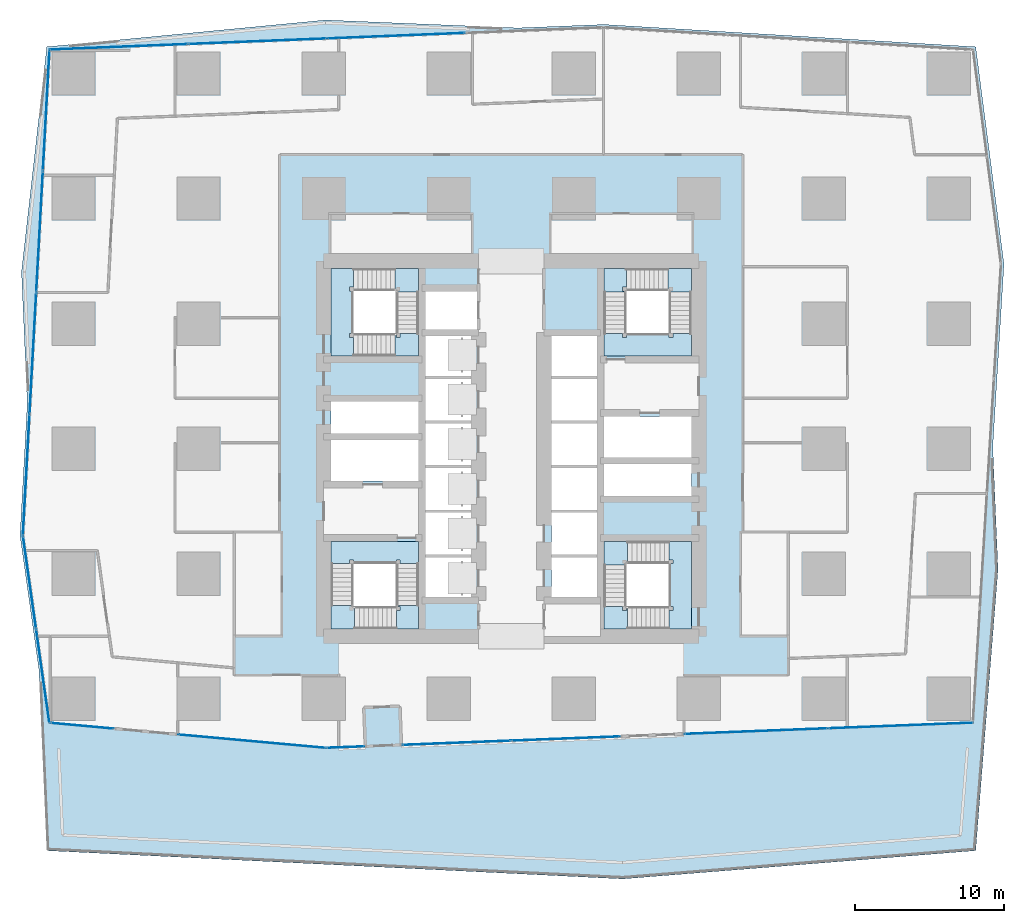
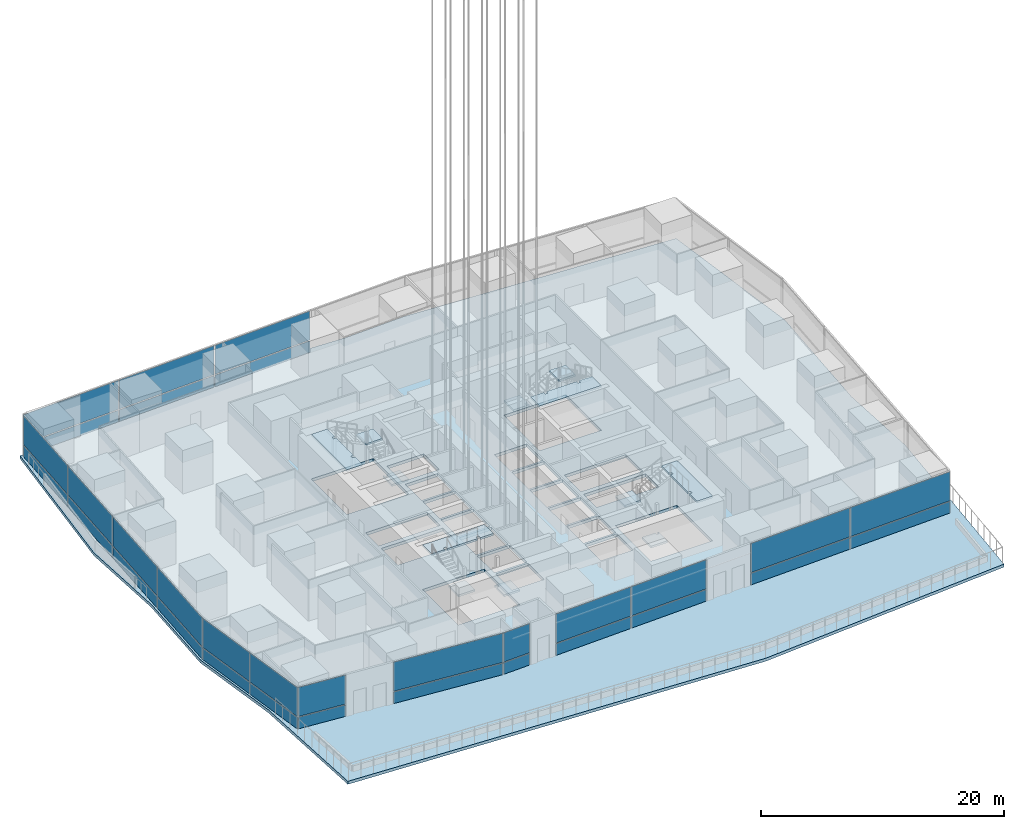
# One storey, part 17 of 44: 32 plates, 13 slabs, 12 elements without a shape of their own.
"""IFC4 building model written with IfcOpenShell, lengths in metres."""

from ifc_helpers import new_model, si_unit, direction, frame, origin, origin_2d, place, context, subcontext, project, spatial, polyline, rectangle, outline, extrude, material, layer, layer_set, type_object, element, aggregate, save


model = new_model("IFC4")

# Units and contexts
model_context = context("Model", 3, precision=1e-05, world=origin(), true_north=direction((0.0, 1.0)))
body_context = subcontext(model_context, "Body", "Model", "MODEL_VIEW")
ifc_project = project(units=[si_unit("LENGTHUNIT", "METRE"), si_unit("AREAUNIT", "SQUARE_METRE"), si_unit("VOLUMEUNIT", "CUBIC_METRE"), si_unit("PLANEANGLEUNIT", "RADIAN"), si_unit("MASSUNIT", "GRAM", prefix="KILO")], contexts=[model_context])

# Site, building, storey
site_placement = place(None, origin())
site = spatial("IfcSite", under=ifc_project, at=site_placement, CompositionType="ELEMENT")
building_placement = place(site_placement, origin())
building = spatial("IfcBuilding", under=site, at=building_placement, Name="Rekha Terrace Tower", CompositionType="ELEMENT")
storey_placement = place(building_placement, frame((0.0, 0.0, 90.800048828125)))
storey = spatial("IfcBuildingStorey", under=building, at=storey_placement, Name="L22", CompositionType="ELEMENT", Elevation=90.800048828125)

# Curtain wall, plates
ifc_material_1 = material(Name="Aluminium framing", Category="aluminium")
curtain_wall_type = type_object("IfcCurtainWallType", Name="CW5 sky garden glazing", PredefinedType="USERDEFINED", material=ifc_material_1)
curtain_wall_1_placement = place(storey_placement, origin())
curtain_wall_1 = element("IfcCurtainWall", 1, at=curtain_wall_1_placement, inside=storey, type_object=curtain_wall_type, Name="CW5 sky garden curtain wall", ObjectType="SKY GARDEN CURTAIN WALL", PredefinedType="USERDEFINED")
ifc_material_2 = material(Name="Laminated double-glazed unit 36", Category="glass")
ifc_layer_1 = layer(ifc_material_2, 0.035888671875)
ifc_layer_set_1 = layer_set([ifc_layer_1], Name="Laminated double-glazed unit 36")
plate_type = type_object("IfcPlateType", Name="CW5 jumbo vision panel, laminated double-glazed unit 36", PredefinedType="CURTAIN_PANEL", material=ifc_layer_set_1)
plate_1_placement = place(storey_placement, frame((8.973388671875, 14.9853515625, 0.0), z_axis=(0.0, 0.0, 1.0), x_axis=(0.995901923137, -0.090439811433, 0.0)))
plate_1 = element("IfcPlate", 2, at=plate_1_placement, type_object=plate_type, Name="CW5 panel 1.1", PredefinedType="CURTAIN_PANEL", context=body_context, shape_type="SweptSolid", body=[
    extrude(rectangle(XDim=4.23291015625, YDim=0.035888671875, at=origin_2d()), origin(), (0.0, 0.0, 1.0), 1.155029296875),
])
plate_2_placement = place(storey_placement, frame((8.973388671875, 14.9853515625, 1.244873046875), z_axis=(0.0, 0.0, 1.0), x_axis=(0.995901923137, -0.090439811433, 0.0)))
plate_2 = element("IfcPlate", 3, at=plate_2_placement, type_object=plate_type, Name="CW5 panel 1.2", PredefinedType="CURTAIN_PANEL", context=body_context, shape_type="SweptSolid", body=[
    extrude(rectangle(XDim=4.23291015625, YDim=0.035888671875, at=origin_2d()), origin(), (0.0, 0.0, 1.0), 2.9150390625),
])
aggregate(curtain_wall_1, [plate_1, plate_2])

curtain_wall_2_placement = place(storey_placement, origin())
curtain_wall_2 = element("IfcCurtainWall", 4, at=curtain_wall_2_placement, inside=storey, type_object=curtain_wall_type, Name="CW5 sky garden curtain wall", ObjectType="SKY GARDEN CURTAIN WALL", PredefinedType="USERDEFINED")
plate_3_placement = place(storey_placement, frame((20.384033203125, 13.948974609375, 0.0), z_axis=(0.0, 0.0, 1.0), x_axis=(0.995901923146, -0.090439811329, 0.0)))
plate_3 = element("IfcPlate", 5, at=plate_3_placement, type_object=plate_type, Name="CW5 panel 1.1", PredefinedType="CURTAIN_PANEL", context=body_context, shape_type="SweptSolid", body=[
    extrude(rectangle(XDim=9.9228515625, YDim=0.035888671875, at=origin_2d()), origin(), (0.0, 0.0, 1.0), 1.155029296875),
])
plate_4_placement = place(storey_placement, frame((20.384033203125, 13.948974609375, 1.244873046875), z_axis=(0.0, 0.0, 1.0), x_axis=(0.995901923146, -0.090439811329, 0.0)))
plate_4 = element("IfcPlate", 6, at=plate_4_placement, type_object=plate_type, Name="CW5 panel 1.2", PredefinedType="CURTAIN_PANEL", context=body_context, shape_type="SweptSolid", body=[
    extrude(rectangle(XDim=9.9228515625, YDim=0.035888671875, at=origin_2d()), origin(), (0.0, 0.0, 1.0), 2.9150390625),
])
aggregate(curtain_wall_2, [plate_3, plate_4])

curtain_wall_3_placement = place(storey_placement, origin())
curtain_wall_3 = element("IfcCurtainWall", 7, at=curtain_wall_3_placement, inside=storey, type_object=curtain_wall_type, Name="CW5 sky garden curtain wall", ObjectType="SKY GARDEN CURTAIN WALL", PredefinedType="USERDEFINED")
plate_5_placement = place(storey_placement, frame((26.667724609375, 13.552490234375, 0.0), z_axis=(0.0, 0.0, 1.0), x_axis=(0.999243498927, 0.038889971101, 0.0)))
plate_5 = element("IfcPlate", 8, at=plate_5_placement, type_object=plate_type, Name="CW5 panel 1.1", PredefinedType="CURTAIN_PANEL", context=body_context, shape_type="SweptSolid", body=[
    extrude(rectangle(XDim=2.507080078125, YDim=0.035888671875, at=origin_2d()), origin(), (0.0, 0.0, 1.0), 1.155029296875),
])
plate_6_placement = place(storey_placement, frame((26.667724609375, 13.552490234375, 1.244873046875), z_axis=(0.0, 0.0, 1.0), x_axis=(0.999243498927, 0.038889971101, 0.0)))
plate_6 = element("IfcPlate", 9, at=plate_6_placement, type_object=plate_type, Name="CW5 panel 1.2", PredefinedType="CURTAIN_PANEL", context=body_context, shape_type="SweptSolid", body=[
    extrude(rectangle(XDim=2.507080078125, YDim=0.035888671875, at=origin_2d()), origin(), (0.0, 0.0, 1.0), 2.9150390625),
])
aggregate(curtain_wall_3, [plate_5, plate_6])

curtain_wall_4_placement = place(storey_placement, origin())
curtain_wall_4 = element("IfcCurtainWall", 10, at=curtain_wall_4_placement, inside=storey, type_object=curtain_wall_type, Name="CW5 sky garden curtain wall", ObjectType="SKY GARDEN CURTAIN WALL", PredefinedType="USERDEFINED")
plate_7_placement = place(storey_placement, frame((34.11962890625, 13.842529296875, 0.0), z_axis=(0.0, 0.0, 1.0), x_axis=(0.999243498918, 0.038889971328, 0.0)))
plate_7 = element("IfcPlate", 11, at=plate_7_placement, type_object=plate_type, Name="CW5 panel 1.1", PredefinedType="CURTAIN_PANEL", context=body_context, shape_type="SweptSolid", body=[
    extrude(rectangle(XDim=7.248046875, YDim=0.035888671875, at=origin_2d()), origin(), (0.0, 0.0, 1.0), 1.155029296875),
])
plate_8_placement = place(storey_placement, frame((34.11962890625, 13.842529296875, 1.244873046875), z_axis=(0.0, 0.0, 1.0), x_axis=(0.999243498918, 0.038889971328, 0.0)))
plate_8 = element("IfcPlate", 12, at=plate_8_placement, type_object=plate_type, Name="CW5 panel 1.2", PredefinedType="CURTAIN_PANEL", context=body_context, shape_type="SweptSolid", body=[
    extrude(rectangle(XDim=7.248046875, YDim=0.035888671875, at=origin_2d()), origin(), (0.0, 0.0, 1.0), 2.9150390625),
])
plate_9_placement = place(storey_placement, frame((41.4521484375, 14.1279296875, 0.0), z_axis=(0.0, 0.0, 1.0), x_axis=(0.999243498918, 0.038889971328, 0.0)))
plate_9 = element("IfcPlate", 13, at=plate_9_placement, type_object=plate_type, Name="CW5 panel 2.1", PredefinedType="CURTAIN_PANEL", context=body_context, shape_type="SweptSolid", body=[
    extrude(rectangle(XDim=7.248046875, YDim=0.035888671875, at=origin_2d()), origin(), (0.0, 0.0, 1.0), 1.155029296875),
])
plate_10_placement = place(storey_placement, frame((41.4521484375, 14.1279296875, 1.244873046875), z_axis=(0.0, 0.0, 1.0), x_axis=(0.999243498918, 0.038889971328, 0.0)))
plate_10 = element("IfcPlate", 14, at=plate_10_placement, type_object=plate_type, Name="CW5 panel 2.2", PredefinedType="CURTAIN_PANEL", context=body_context, shape_type="SweptSolid", body=[
    extrude(rectangle(XDim=7.248046875, YDim=0.035888671875, at=origin_2d()), origin(), (0.0, 0.0, 1.0), 2.9150390625),
])
aggregate(curtain_wall_4, [plate_7, plate_8, plate_9, plate_10])

curtain_wall_5_placement = place(storey_placement, origin())
curtain_wall_5 = element("IfcCurtainWall", 15, at=curtain_wall_5_placement, inside=storey, type_object=curtain_wall_type, Name="CW5 sky garden curtain wall", ObjectType="SKY GARDEN CURTAIN WALL", PredefinedType="USERDEFINED")
plate_11_placement = place(storey_placement, frame((54.245361328125, 14.6259765625, 0.0), z_axis=(0.0, 0.0, 1.0), x_axis=(0.999243498917, 0.038889971363, 0.0)))
plate_11 = element("IfcPlate", 16, at=plate_11_placement, type_object=plate_type, Name="CW5 panel 1.1", PredefinedType="CURTAIN_PANEL", context=body_context, shape_type="SweptSolid", body=[
    extrude(rectangle(XDim=9.59814453125, YDim=0.035888671875, at=origin_2d()), origin(), (0.0, 0.0, 1.0), 1.155029296875),
])
plate_12_placement = place(storey_placement, frame((54.245361328125, 14.6259765625, 1.244873046875), z_axis=(0.0, 0.0, 1.0), x_axis=(0.999243498917, 0.038889971363, 0.0)))
plate_12 = element("IfcPlate", 17, at=plate_12_placement, type_object=plate_type, Name="CW5 panel 1.2", PredefinedType="CURTAIN_PANEL", context=body_context, shape_type="SweptSolid", body=[
    extrude(rectangle(XDim=9.59814453125, YDim=0.035888671875, at=origin_2d()), origin(), (0.0, 0.0, 1.0), 2.9150390625),
])
plate_13_placement = place(storey_placement, frame((63.97119140625, 15.00439453125, 0.0), z_axis=(0.0, 0.0, 1.0), x_axis=(0.999243498917, 0.038889971363, 0.0)))
plate_13 = element("IfcPlate", 18, at=plate_13_placement, type_object=plate_type, Name="CW5 panel 2.1", PredefinedType="CURTAIN_PANEL", context=body_context, shape_type="SweptSolid", body=[
    extrude(rectangle(XDim=9.68798828125, YDim=0.035888671875, at=origin_2d()), origin(), (0.0, 0.0, 1.0), 1.155029296875),
])
plate_14_placement = place(storey_placement, frame((63.97119140625, 15.00439453125, 1.244873046875), z_axis=(0.0, 0.0, 1.0), x_axis=(0.999243498917, 0.038889971363, 0.0)))
plate_14 = element("IfcPlate", 19, at=plate_14_placement, type_object=plate_type, Name="CW5 panel 2.2", PredefinedType="CURTAIN_PANEL", context=body_context, shape_type="SweptSolid", body=[
    extrude(rectangle(XDim=9.68798828125, YDim=0.035888671875, at=origin_2d()), origin(), (0.0, 0.0, 1.0), 2.9150390625),
])
aggregate(curtain_wall_5, [plate_11, plate_12, plate_13, plate_14])

curtain_wall_6_placement = place(storey_placement, origin())
curtain_wall_6 = element("IfcCurtainWall", 20, at=curtain_wall_6_placement, inside=storey, type_object=curtain_wall_type, Name="CW5 sky garden curtain wall", ObjectType="SKY GARDEN CURTAIN WALL", PredefinedType="USERDEFINED")
plate_15_placement = place(storey_placement, frame((30.06982421875, 61.340087890625, 0.0), z_axis=(0.0, 0.0, 1.0), x_axis=(-0.999198398721, -0.040031987119, 0.0)))
plate_15 = element("IfcPlate", 21, at=plate_15_placement, type_object=plate_type, Name="CW5 panel 2.1", PredefinedType="CURTAIN_PANEL", context=body_context, shape_type="SweptSolid", body=[
    extrude(rectangle(XDim=9.2294921875, YDim=0.035888671875, at=origin_2d()), origin(), (0.0, 0.0, 1.0), 1.155029296875),
])
plate_16_placement = place(storey_placement, frame((30.06982421875, 61.340087890625, 1.244873046875), z_axis=(0.0, 0.0, 1.0), x_axis=(-0.999198398721, -0.040031987119, 0.0)))
plate_16 = element("IfcPlate", 22, at=plate_16_placement, type_object=plate_type, Name="CW5 panel 2.2", PredefinedType="CURTAIN_PANEL", context=body_context, shape_type="SweptSolid", body=[
    extrude(rectangle(XDim=9.2294921875, YDim=0.035888671875, at=origin_2d()), origin(), (0.0, 0.0, 1.0), 2.9150390625),
])
plate_17_placement = place(storey_placement, frame((20.7578125, 60.967041015625, 0.0), z_axis=(0.0, 0.0, 1.0), x_axis=(-0.999198398721, -0.040031987119, 0.0)))
plate_17 = element("IfcPlate", 23, at=plate_17_placement, type_object=plate_type, Name="CW5 panel 3.1", PredefinedType="CURTAIN_PANEL", context=body_context, shape_type="SweptSolid", body=[
    extrude(rectangle(XDim=9.2294921875, YDim=0.035888671875, at=origin_2d()), origin(), (0.0, 0.0, 1.0), 1.155029296875),
])
plate_18_placement = place(storey_placement, frame((20.7578125, 60.967041015625, 1.244873046875), z_axis=(0.0, 0.0, 1.0), x_axis=(-0.999198398721, -0.040031987119, 0.0)))
plate_18 = element("IfcPlate", 24, at=plate_18_placement, type_object=plate_type, Name="CW5 panel 3.2", PredefinedType="CURTAIN_PANEL", context=body_context, shape_type="SweptSolid", body=[
    extrude(rectangle(XDim=9.2294921875, YDim=0.035888671875, at=origin_2d()), origin(), (0.0, 0.0, 1.0), 2.9150390625),
])
plate_19_placement = place(storey_placement, frame((11.42333984375, 60.593017578125, 0.0), z_axis=(0.0, 0.0, 1.0), x_axis=(-0.999198398721, -0.040031987119, 0.0)))
plate_19 = element("IfcPlate", 25, at=plate_19_placement, type_object=plate_type, Name="CW5 panel 4.1", PredefinedType="CURTAIN_PANEL", context=body_context, shape_type="SweptSolid", body=[
    extrude(rectangle(XDim=9.2744140625, YDim=0.035888671875, at=origin_2d()), origin(), (0.0, 0.0, 1.0), 1.155029296875),
])
plate_20_placement = place(storey_placement, frame((11.42333984375, 60.593017578125, 1.244873046875), z_axis=(0.0, 0.0, 1.0), x_axis=(-0.999198398721, -0.040031987119, 0.0)))
plate_20 = element("IfcPlate", 26, at=plate_20_placement, type_object=plate_type, Name="CW5 panel 4.2", PredefinedType="CURTAIN_PANEL", context=body_context, shape_type="SweptSolid", body=[
    extrude(rectangle(XDim=9.2744140625, YDim=0.035888671875, at=origin_2d()), origin(), (0.0, 0.0, 1.0), 2.9150390625),
])
aggregate(curtain_wall_6, [plate_15, plate_16, plate_17, plate_18, plate_19, plate_20])

curtain_wall_7_placement = place(storey_placement, origin())
curtain_wall_7 = element("IfcCurtainWall", 27, at=curtain_wall_7_placement, inside=storey, type_object=curtain_wall_type, Name="CW5 sky garden curtain wall", ObjectType="SKY GARDEN CURTAIN WALL", PredefinedType="USERDEFINED")
plate_21_placement = place(storey_placement, frame((6.56494140625, 56.30615234375, 0.0), z_axis=(0.0, 0.0, 1.0), x_axis=(-0.054742352725, -0.998500513179, 0.0)))
plate_21 = element("IfcPlate", 28, at=plate_21_placement, type_object=plate_type, Name="CW5 panel 1.1", PredefinedType="CURTAIN_PANEL", context=body_context, shape_type="SweptSolid", body=[
    extrude(rectangle(XDim=8.034912109375, YDim=0.035888671875, at=origin_2d()), origin(), (0.0, 0.0, 1.0), 1.155029296875),
])
plate_22_placement = place(storey_placement, frame((6.56494140625, 56.30615234375, 1.244873046875), z_axis=(0.0, 0.0, 1.0), x_axis=(-0.054742352725, -0.998500513179, 0.0)))
plate_22 = element("IfcPlate", 29, at=plate_22_placement, type_object=plate_type, Name="CW5 panel 1.2", PredefinedType="CURTAIN_PANEL", context=body_context, shape_type="SweptSolid", body=[
    extrude(rectangle(XDim=8.034912109375, YDim=0.035888671875, at=origin_2d()), origin(), (0.0, 0.0, 1.0), 2.9150390625),
])
plate_23_placement = place(storey_placement, frame((6.118896484375, 48.1708984375, 0.0), z_axis=(0.0, 0.0, 1.0), x_axis=(-0.054742352725, -0.998500513179, 0.0)))
plate_23 = element("IfcPlate", 30, at=plate_23_placement, type_object=plate_type, Name="CW5 panel 2.1", PredefinedType="CURTAIN_PANEL", context=body_context, shape_type="SweptSolid", body=[
    extrude(rectangle(XDim=8.080078125, YDim=0.035888671875, at=origin_2d()), origin(), (0.0, 0.0, 1.0), 1.155029296875),
])
plate_24_placement = place(storey_placement, frame((6.118896484375, 48.1708984375, 1.244873046875), z_axis=(0.0, 0.0, 1.0), x_axis=(-0.054742352725, -0.998500513179, 0.0)))
plate_24 = element("IfcPlate", 31, at=plate_24_placement, type_object=plate_type, Name="CW5 panel 2.2", PredefinedType="CURTAIN_PANEL", context=body_context, shape_type="SweptSolid", body=[
    extrude(rectangle(XDim=8.080078125, YDim=0.035888671875, at=origin_2d()), origin(), (0.0, 0.0, 1.0), 2.9150390625),
])
plate_25_placement = place(storey_placement, frame((5.671630859375, 40.01318359375, 0.0), z_axis=(0.0, 0.0, 1.0), x_axis=(-0.054742352725, -0.998500513179, 0.0)))
plate_25 = element("IfcPlate", 32, at=plate_25_placement, type_object=plate_type, Name="CW5 panel 3.1", PredefinedType="CURTAIN_PANEL", context=body_context, shape_type="SweptSolid", body=[
    extrude(rectangle(XDim=8.080078125, YDim=0.035888671875, at=origin_2d()), origin(), (0.0, 0.0, 1.0), 1.155029296875),
])
plate_26_placement = place(storey_placement, frame((5.671630859375, 40.01318359375, 1.244873046875), z_axis=(0.0, 0.0, 1.0), x_axis=(-0.054742352725, -0.998500513179, 0.0)))
plate_26 = element("IfcPlate", 33, at=plate_26_placement, type_object=plate_type, Name="CW5 panel 3.2", PredefinedType="CURTAIN_PANEL", context=body_context, shape_type="SweptSolid", body=[
    extrude(rectangle(XDim=8.080078125, YDim=0.035888671875, at=origin_2d()), origin(), (0.0, 0.0, 1.0), 2.9150390625),
])
plate_27_placement = place(storey_placement, frame((5.22314453125, 31.8330078125, 0.0), z_axis=(0.0, 0.0, 1.0), x_axis=(-0.054742352725, -0.998500513179, 0.0)))
plate_27 = element("IfcPlate", 34, at=plate_27_placement, type_object=plate_type, Name="CW5 panel 4.1", PredefinedType="CURTAIN_PANEL", context=body_context, shape_type="SweptSolid", body=[
    extrude(rectangle(XDim=8.125, YDim=0.035888671875, at=origin_2d()), origin(), (0.0, 0.0, 1.0), 1.155029296875),
])
plate_28_placement = place(storey_placement, frame((5.22314453125, 31.8330078125, 1.244873046875), z_axis=(0.0, 0.0, 1.0), x_axis=(-0.054742352725, -0.998500513179, 0.0)))
plate_28 = element("IfcPlate", 35, at=plate_28_placement, type_object=plate_type, Name="CW5 panel 4.2", PredefinedType="CURTAIN_PANEL", context=body_context, shape_type="SweptSolid", body=[
    extrude(rectangle(XDim=8.125, YDim=0.035888671875, at=origin_2d()), origin(), (0.0, 0.0, 1.0), 2.9150390625),
])
aggregate(curtain_wall_7, [plate_21, plate_22, plate_23, plate_24, plate_25, plate_26, plate_27, plate_28])

curtain_wall_8_placement = place(storey_placement, origin())
curtain_wall_8 = element("IfcCurtainWall", 36, at=curtain_wall_8_placement, inside=storey, type_object=curtain_wall_type, Name="CW5 sky garden curtain wall", ObjectType="SKY GARDEN CURTAIN WALL", PredefinedType="USERDEFINED")
plate_29_placement = place(storey_placement, frame((5.44775390625, 24.6064453125, 0.0), z_axis=(0.0, 0.0, 1.0), x_axis=(0.139597048082, -0.990208394312, 0.0)))
plate_29 = element("IfcPlate", 37, at=plate_29_placement, type_object=plate_type, Name="CW5 panel 1.1", PredefinedType="CURTAIN_PANEL", context=body_context, shape_type="SweptSolid", body=[
    extrude(rectangle(XDim=6.22314453125, YDim=0.035888671875, at=origin_2d()), origin(), (0.0, 0.0, 1.0), 1.155029296875),
])
plate_30_placement = place(storey_placement, frame((5.44775390625, 24.6064453125, 1.244873046875), z_axis=(0.0, 0.0, 1.0), x_axis=(0.139597048082, -0.990208394312, 0.0)))
plate_30 = element("IfcPlate", 38, at=plate_30_placement, type_object=plate_type, Name="CW5 panel 1.2", PredefinedType="CURTAIN_PANEL", context=body_context, shape_type="SweptSolid", body=[
    extrude(rectangle(XDim=6.22314453125, YDim=0.035888671875, at=origin_2d()), origin(), (0.0, 0.0, 1.0), 2.9150390625),
])
plate_31_placement = place(storey_placement, frame((6.335205078125, 18.310546875, 0.0), z_axis=(0.0, 0.0, 1.0), x_axis=(0.139597048082, -0.990208394312, 0.0)))
plate_31 = element("IfcPlate", 39, at=plate_31_placement, type_object=plate_type, Name="CW5 panel 2.1", PredefinedType="CURTAIN_PANEL", context=body_context, shape_type="SweptSolid", body=[
    extrude(rectangle(XDim=6.313232421875, YDim=0.035888671875, at=origin_2d()), origin(), (0.0, 0.0, 1.0), 1.155029296875),
])
plate_32_placement = place(storey_placement, frame((6.335205078125, 18.310546875, 1.244873046875), z_axis=(0.0, 0.0, 1.0), x_axis=(0.139597048082, -0.990208394312, 0.0)))
plate_32 = element("IfcPlate", 40, at=plate_32_placement, type_object=plate_type, Name="CW5 panel 2.2", PredefinedType="CURTAIN_PANEL", context=body_context, shape_type="SweptSolid", body=[
    extrude(rectangle(XDim=6.313232421875, YDim=0.035888671875, at=origin_2d()), origin(), (0.0, 0.0, 1.0), 2.9150390625),
])
aggregate(curtain_wall_8, [plate_29, plate_30, plate_31, plate_32])

# Stair, slabs
ifc_material_3 = material(Name="Concrete M40", Category="concrete")
stair_type = type_object("IfcStairType", Name="ST30 stair, 30 risers of 150, going 310, 1500 wide flights, 3 flights", PredefinedType="HALF_TURN_STAIR", material=ifc_material_3)
stair_1_placement = place(storey_placement, origin())
stair_1 = element("IfcStair", 41, at=stair_1_placement, inside=storey, type_object=stair_type, Name="Stair ST1 L22 to L23", PredefinedType="HALF_TURN_STAIR")
ifc_layer_2 = layer(ifc_material_3, 0.199951171875)
ifc_layer_set_2 = layer_set([ifc_layer_2], Name="Concrete M40")
slab_type_1 = type_object("IfcSlabType", Name="LD1 200 concrete stair landing", PredefinedType="LANDING", material=ifc_layer_set_2)
slab_1_placement = place(storey_placement, frame((0.0, 0.0, 1.300048828125)))
slab_1 = element("IfcSlab", 42, at=slab_1_placement, type_object=slab_type_1, Name="ST1 landing 1", PredefinedType="LANDING", context=body_context, shape_type="SweptSolid", body=[
    extrude(outline(polyline([(30.074951171875, 21.5), (31.574951171875, 21.5), (31.574951171875, 23.0849609375), (30.074951171875, 23.0849609375), (30.074951171875, 23.0), (30.324951171875, 23.0), (30.324951171875, 22.75), (30.074951171875, 22.75), (30.074951171875, 21.5)])), origin(), (0.0, 0.0, 1.0), 0.199951171875),
])
slab_2_placement = place(storey_placement, frame((0.0, 0.0, 2.800048828125)))
slab_2 = element("IfcSlab", 43, at=slab_2_placement, type_object=slab_type_1, Name="ST1 landing 2", PredefinedType="LANDING", context=body_context, shape_type="SweptSolid", body=[
    extrude(outline(polyline([(27.199951171875, 23.0849609375), (25.699951171875, 23.0849609375), (25.699951171875, 21.5), (27.284912109375, 21.5), (27.284912109375, 23.0), (27.199951171875, 23.0), (27.199951171875, 23.0849609375)])), origin(), (0.0, 0.0, 1.0), 0.199951171875),
])
slab_3_placement = place(storey_placement, frame((0.0, 0.0, 4.300048828125)))
slab_3 = element("IfcSlab", 44, at=slab_3_placement, type_object=slab_type_1, Name="ST1 landing 3", PredefinedType="LANDING", context=body_context, shape_type="SweptSolid", body=[
    extrude(outline(polyline([(31.574951171875, 25.875), (31.574951171875, 27.375), (25.699951171875, 27.375), (25.699951171875, 25.875), (26.949951171875, 25.875), (26.949951171875, 26.125), (27.199951171875, 26.125), (27.199951171875, 25.875), (30.074951171875, 25.875), (30.074951171875, 26.125), (30.324951171875, 26.125), (30.324951171875, 25.875), (31.574951171875, 25.875)])), origin(), (0.0, 0.0, 1.0), 0.199951171875),
])
aggregate(stair_1, [slab_1, slab_2, slab_3])

stair_2_placement = place(storey_placement, origin())
stair_2 = element("IfcStair", 45, at=stair_2_placement, inside=storey, type_object=stair_type, Name="Stair ST2 L22 to L23", PredefinedType="HALF_TURN_STAIR")
slab_4_placement = place(storey_placement, frame((0.0, 0.0, 1.300048828125)))
slab_4 = element("IfcSlab", 46, at=slab_4_placement, type_object=slab_type_1, Name="ST2 landing 1", PredefinedType="LANDING", context=body_context, shape_type="SweptSolid", body=[
    extrude(outline(polyline([(45.52490234375, 45.699951171875), (44.02490234375, 45.699951171875), (44.02490234375, 44.114990234375), (45.52490234375, 44.114990234375), (45.52490234375, 44.199951171875), (45.27490234375, 44.199951171875), (45.27490234375, 44.449951171875), (45.52490234375, 44.449951171875), (45.52490234375, 45.699951171875)])), origin(), (0.0, 0.0, 1.0), 0.199951171875),
])
slab_5_placement = place(storey_placement, frame((0.0, 0.0, 2.800048828125)))
slab_5 = element("IfcSlab", 47, at=slab_5_placement, type_object=slab_type_1, Name="ST2 landing 2", PredefinedType="LANDING", context=body_context, shape_type="SweptSolid", body=[
    extrude(outline(polyline([(48.39990234375, 44.114990234375), (49.89990234375, 44.114990234375), (49.89990234375, 45.699951171875), (48.31494140625, 45.699951171875), (48.31494140625, 44.199951171875), (48.39990234375, 44.199951171875), (48.39990234375, 44.114990234375)])), origin(), (0.0, 0.0, 1.0), 0.199951171875),
])
slab_6_placement = place(storey_placement, frame((0.0, 0.0, 4.300048828125)))
slab_6 = element("IfcSlab", 48, at=slab_6_placement, type_object=slab_type_1, Name="ST2 landing 3", PredefinedType="LANDING", context=body_context, shape_type="SweptSolid", body=[
    extrude(outline(polyline([(44.02490234375, 41.324951171875), (44.02490234375, 39.824951171875), (49.89990234375, 39.824951171875), (49.89990234375, 41.324951171875), (48.64990234375, 41.324951171875), (48.64990234375, 41.074951171875), (48.39990234375, 41.074951171875), (48.39990234375, 41.324951171875), (45.52490234375, 41.324951171875), (45.52490234375, 41.074951171875), (45.27490234375, 41.074951171875), (45.27490234375, 41.324951171875), (44.02490234375, 41.324951171875)])), origin(), (0.0, 0.0, 1.0), 0.199951171875),
])
aggregate(stair_2, [slab_4, slab_5, slab_6])

stair_3_placement = place(storey_placement, origin())
stair_3 = element("IfcStair", 49, at=stair_3_placement, inside=storey, type_object=stair_type, Name="Stair ST3 L22 to L23", PredefinedType="HALF_TURN_STAIR")
slab_7_placement = place(storey_placement, frame((0.0, 0.0, 1.300048828125)))
slab_7 = element("IfcSlab", 50, at=slab_7_placement, type_object=slab_type_1, Name="ST3 landing 1", PredefinedType="LANDING", context=body_context, shape_type="SweptSolid", body=[
    extrude(outline(polyline([(44.02490234375, 23.0), (44.02490234375, 21.5), (45.610107421875, 21.5), (45.610107421875, 23.0), (45.52490234375, 23.0), (45.52490234375, 22.75), (45.27490234375, 22.75), (45.27490234375, 23.0), (44.02490234375, 23.0)])), origin(), (0.0, 0.0, 1.0), 0.199951171875),
])
slab_8_placement = place(storey_placement, frame((0.0, 0.0, 2.800048828125)))
slab_8 = element("IfcSlab", 51, at=slab_8_placement, type_object=slab_type_1, Name="ST3 landing 2", PredefinedType="LANDING", context=body_context, shape_type="SweptSolid", body=[
    extrude(outline(polyline([(45.610107421875, 25.875), (45.610107421875, 27.375), (44.02490234375, 27.375), (44.02490234375, 25.7900390625), (45.52490234375, 25.7900390625), (45.52490234375, 25.875), (45.610107421875, 25.875)])), origin(), (0.0, 0.0, 1.0), 0.199951171875),
])
slab_9_placement = place(storey_placement, frame((0.0, 0.0, 4.300048828125)))
slab_9 = element("IfcSlab", 52, at=slab_9_placement, type_object=slab_type_1, Name="ST3 landing 3", PredefinedType="LANDING", context=body_context, shape_type="SweptSolid", body=[
    extrude(outline(polyline([(48.39990234375, 21.5), (49.89990234375, 21.5), (49.89990234375, 27.375), (48.39990234375, 27.375), (48.39990234375, 26.125), (48.64990234375, 26.125), (48.64990234375, 25.875), (48.39990234375, 25.875), (48.39990234375, 23.0), (48.64990234375, 23.0), (48.64990234375, 22.75), (48.39990234375, 22.75), (48.39990234375, 21.5)])), origin(), (0.0, 0.0, 1.0), 0.199951171875),
])
aggregate(stair_3, [slab_7, slab_8, slab_9])

stair_4_placement = place(storey_placement, origin())
stair_4 = element("IfcStair", 53, at=stair_4_placement, inside=storey, type_object=stair_type, Name="Stair ST4 L22 to L23", PredefinedType="HALF_TURN_STAIR")
slab_10_placement = place(storey_placement, frame((0.0, 0.0, 1.300048828125)))
slab_10 = element("IfcSlab", 54, at=slab_10_placement, type_object=slab_type_1, Name="ST4 landing 1", PredefinedType="LANDING", context=body_context, shape_type="SweptSolid", body=[
    extrude(outline(polyline([(31.574951171875, 41.324951171875), (31.574951171875, 39.824951171875), (29.989990234375, 39.824951171875), (29.989990234375, 41.324951171875), (30.074951171875, 41.324951171875), (30.074951171875, 41.074951171875), (30.324951171875, 41.074951171875), (30.324951171875, 41.324951171875), (31.574951171875, 41.324951171875)])), origin(), (0.0, 0.0, 1.0), 0.199951171875),
])
slab_11_placement = place(storey_placement, frame((0.0, 0.0, 2.800048828125)))
slab_11 = element("IfcSlab", 55, at=slab_11_placement, type_object=slab_type_1, Name="ST4 landing 2", PredefinedType="LANDING", context=body_context, shape_type="SweptSolid", body=[
    extrude(outline(polyline([(29.989990234375, 44.199951171875), (29.989990234375, 45.699951171875), (31.574951171875, 45.699951171875), (31.574951171875, 44.114990234375), (30.074951171875, 44.114990234375), (30.074951171875, 44.199951171875), (29.989990234375, 44.199951171875)])), origin(), (0.0, 0.0, 1.0), 0.199951171875),
])
slab_12_placement = place(storey_placement, frame((0.0, 0.0, 4.300048828125)))
slab_12 = element("IfcSlab", 56, at=slab_12_placement, type_object=slab_type_1, Name="ST4 landing 3", PredefinedType="LANDING", context=body_context, shape_type="SweptSolid", body=[
    extrude(outline(polyline([(27.199951171875, 39.824951171875), (25.699951171875, 39.824951171875), (25.699951171875, 45.699951171875), (27.199951171875, 45.699951171875), (27.199951171875, 44.449951171875), (26.949951171875, 44.449951171875), (26.949951171875, 44.199951171875), (27.199951171875, 44.199951171875), (27.199951171875, 41.324951171875), (26.949951171875, 41.324951171875), (26.949951171875, 41.074951171875), (27.199951171875, 41.074951171875), (27.199951171875, 39.824951171875)])), origin(), (0.0, 0.0, 1.0), 0.199951171875),
])
aggregate(stair_4, [slab_10, slab_11, slab_12])

# Slab
ifc_material_4 = material(Name="Concrete M50", Category="concrete")
ifc_layer_3 = layer(ifc_material_4, 0.300048828125)
ifc_layer_set_3 = layer_set([ifc_layer_3], Name="Concrete M50")
slab_type_2 = type_object("IfcSlabType", Name="SL6 300 sky lobby floor slab", PredefinedType="FLOOR", material=ifc_layer_set_3)
slab_13_placement = place(storey_placement, frame((0.0, 0.0, -0.300048828125)))
element("IfcSlab", 57, at=slab_13_placement, inside=storey, type_object=slab_type_2, Name="Sky lobby floor slab L22", PredefinedType="FLOOR", context=body_context, shape_type="SweptSolid", body=[
    extrude(outline(polyline([(4.800048828125, 27.76806640625), (4.800048828125, 27.76806640625), (4.800048828125, 27.76806640625), (4.800048828125, 27.76806640625), (4.800048828125, 27.76806640625), (4.800048828125, 27.76806640625), (6.067626953125, 18.776611328125), (6.067626953125, 18.776611328125), (6.067626953125, 18.776611328125), (6.067626953125, 18.776611328125), (6.60009765625, 6.60009765625), (6.60009765625, 6.60009765625), (6.60009765625, 6.60009765625), (6.60009765625, 6.60009765625), (6.60009765625, 6.60009765625), (45.2880859375, 4.699951171875), (45.2880859375, 4.699951171875), (45.2880859375, 4.699951171875), (45.2880859375, 4.699951171875), (69.0, 6.60009765625), (69.0, 6.60009765625), (69.0, 6.60009765625), (69.0, 6.60009765625), (69.0, 6.60009765625), (70.5, 25.5), (70.5, 25.5), (70.5, 25.5), (70.5, 25.5), (70.14794921875, 33.736083984375), (70.14794921875, 33.736083984375), (70.14794921875, 33.736083984375), (70.14794921875, 33.736083984375), (70.89990234375, 46.008056640625), (70.89990234375, 46.008056640625), (70.89990234375, 46.008056640625), (70.89990234375, 46.008056640625), (70.89990234375, 46.008056640625), (70.89990234375, 46.008056640625), (69.0, 60.60009765625), (69.0, 60.60009765625), (69.0, 60.60009765625), (69.0, 60.60009765625), (69.0, 60.60009765625), (69.0, 60.60009765625), (69.0, 60.60009765625), (44.0400390625, 62.10009765625), (44.0400390625, 62.10009765625), (44.0400390625, 62.10009765625), (44.0400390625, 62.10009765625), (44.0400390625, 62.10009765625), (44.0400390625, 62.10009765625), (44.0400390625, 62.10009765625), (44.0400390625, 62.10009765625), (38.239501953125, 61.86767578125), (38.239501953125, 61.86767578125), (25.320068359375, 62.39990234375), (25.320068359375, 62.39990234375), (6.60009765625, 60.60009765625), (6.60009765625, 60.60009765625), (6.60009765625, 60.60009765625), (6.60009765625, 60.60009765625), (4.89990234375, 45.47998046875), (4.89990234375, 45.47998046875), (4.89990234375, 45.47998046875), (4.89990234375, 45.47998046875), (4.89990234375, 45.47998046875), (4.89990234375, 45.47998046875), (5.28662109375, 36.64111328125), (5.28662109375, 36.64111328125), (5.28662109375, 36.64111328125), (5.28662109375, 36.64111328125), (5.28662109375, 36.64111328125), (5.28662109375, 36.64111328125), (5.28662109375, 36.64111328125), (5.28662109375, 36.64111328125), (4.800048828125, 27.76806640625)]), holes=[polyline([(31.574951171875, 27.375), (31.574951171875, 21.5), (25.699951171875, 21.5), (25.699951171875, 27.375), (31.574951171875, 27.375)]), polyline([(35.10009765625, 26.300048828125), (35.10009765625, 23.625), (32.02490234375, 23.625), (32.02490234375, 26.300048828125), (35.10009765625, 26.300048828125)]), polyline([(35.10009765625, 29.300048828125), (35.10009765625, 26.5), (32.02490234375, 26.5), (32.02490234375, 29.300048828125), (35.10009765625, 29.300048828125)]), polyline([(35.10009765625, 29.5), (32.02490234375, 29.5), (32.02490234375, 32.300048828125), (35.10009765625, 32.300048828125), (35.10009765625, 29.5)]), polyline([(31.574951171875, 31.425048828125), (25.699951171875, 31.425048828125), (25.699951171875, 34.175048828125), (31.574951171875, 34.175048828125), (31.574951171875, 31.425048828125)]), polyline([(35.10009765625, 35.300048828125), (35.10009765625, 32.5), (32.02490234375, 32.5), (32.02490234375, 35.300048828125), (35.10009765625, 35.300048828125)]), polyline([(31.574951171875, 36.77490234375), (31.574951171875, 34.625), (25.699951171875, 34.625), (25.699951171875, 36.77490234375), (31.574951171875, 36.77490234375)]), polyline([(35.10009765625, 38.300048828125), (35.10009765625, 35.5), (32.02490234375, 35.5), (32.02490234375, 38.300048828125), (35.10009765625, 38.300048828125)]), polyline([(35.10009765625, 38.5), (32.02490234375, 38.5), (32.02490234375, 41.175048828125), (35.10009765625, 41.175048828125), (35.10009765625, 38.5)]), polyline([(31.574951171875, 39.824951171875), (25.699951171875, 39.824951171875), (25.699951171875, 45.699951171875), (31.574951171875, 45.699951171875), (31.574951171875, 39.824951171875)]), polyline([(35.5, 44.175048828125), (35.5, 41.625), (32.02490234375, 41.625), (32.02490234375, 44.175048828125), (35.5, 44.175048828125)]), polyline([(49.89990234375, 27.375), (49.89990234375, 21.5), (44.02490234375, 21.5), (44.02490234375, 27.375), (49.89990234375, 27.375)]), polyline([(43.574951171875, 26.300048828125), (43.574951171875, 23.625), (40.5, 23.625), (40.5, 26.300048828125), (43.574951171875, 26.300048828125)]), polyline([(43.574951171875, 26.5), (40.5, 26.5), (40.5, 29.300048828125), (43.574951171875, 29.300048828125), (43.574951171875, 26.5)]), polyline([(43.574951171875, 29.5), (40.5, 29.5), (40.5, 32.300048828125), (43.574951171875, 32.300048828125), (43.574951171875, 29.5)]), polyline([(49.89990234375, 32.574951171875), (49.89990234375, 30.425048828125), (44.02490234375, 30.425048828125), (44.02490234375, 32.574951171875), (49.89990234375, 32.574951171875)]), polyline([(43.574951171875, 32.5), (40.5, 32.5), (40.5, 35.300048828125), (43.574951171875, 35.300048828125), (43.574951171875, 32.5)]), polyline([(49.89990234375, 33.02490234375), (44.02490234375, 33.02490234375), (44.02490234375, 35.77490234375), (49.89990234375, 35.77490234375), (49.89990234375, 33.02490234375)]), polyline([(43.574951171875, 38.300048828125), (43.574951171875, 35.5), (40.5, 35.5), (40.5, 38.300048828125), (43.574951171875, 38.300048828125)]), polyline([(43.574951171875, 38.5), (40.5, 38.5), (40.5, 41.175048828125), (43.574951171875, 41.175048828125), (43.574951171875, 38.5)]), polyline([(49.89990234375, 39.824951171875), (44.02490234375, 39.824951171875), (44.02490234375, 45.699951171875), (49.89990234375, 45.699951171875), (49.89990234375, 39.824951171875)])]), origin(), (0.0, 0.0, 1.0), 0.300048828125),
])

save(model, "model.ifc")
